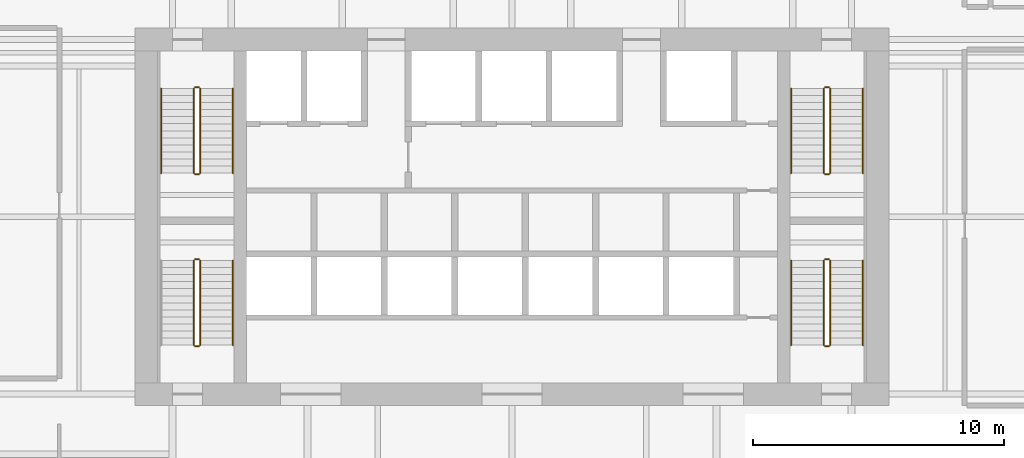
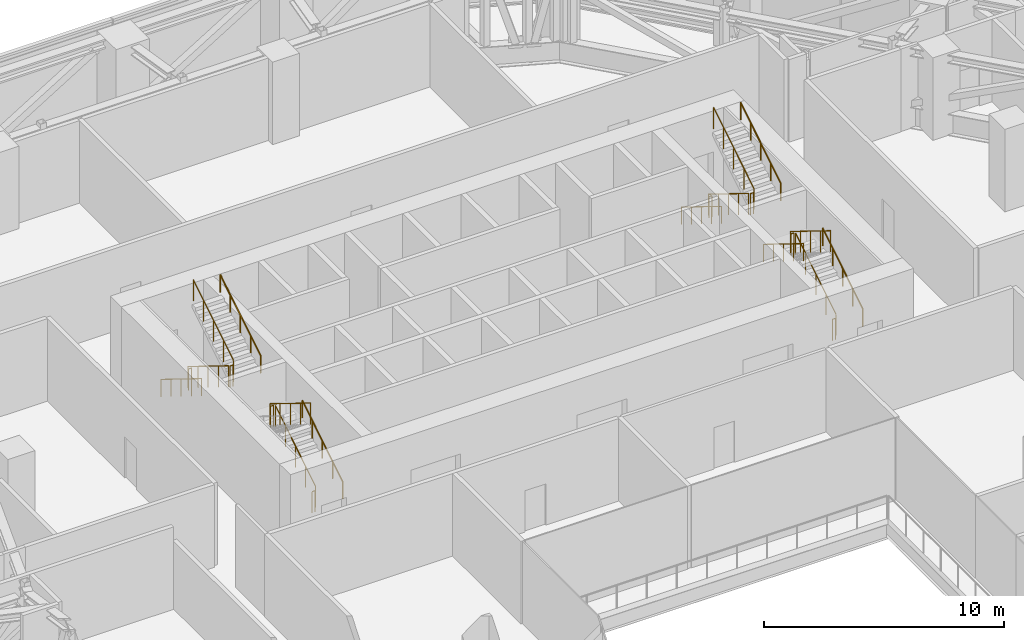
# One storey, part 36 of 36: 23 railings.
"""IFC4 building model written with IfcOpenShell, lengths in metres."""

import ifcopenshell
import ifcopenshell.guid

model = None  # the IFC model being written
_history = None  # IfcOwnerHistory: only IFC2X3 demands one
_inside = {}  # id of a spatial element -> (the spatial element, [elements in it])
_under = {}  # id of a project, library or spatial element -> (it, [spatial elements below it])
_declared = {}  # id of a project -> (the project, [libraries it declares])
_typed = {}  # id of a type object -> (the type object, [elements of that type])
_made_of = {}  # id of a material, layer set ... -> (it, [elements and type objects made of it])


def new_model(schema):
    """Start an empty IFC model of exactly this schema.

    Asked for "IFC4X3", IfcOpenShell would pick the latest addendum, in which some entities
    have other attributes; the version numbers below select the first issue.
    IFC2X3 requires an IfcOwnerHistory on every rooted entity: one is made here for all.
    """
    global model, _history
    if schema == "IFC4X3":
        model = ifcopenshell.file(schema_version=(4, 3, 0, 0))
    else:
        model = ifcopenshell.file(schema=schema)
    _inside.clear()
    _under.clear()
    _declared.clear()
    _typed.clear()
    _made_of.clear()
    _history = None
    if model.schema == "IFC2X3":
        org = make("IfcOrganization", Name="unknown")
        user = make(
            "IfcPersonAndOrganization",
            ThePerson=make("IfcPerson", FamilyName="unknown"),
            TheOrganization=org,
        )
        app = make(
            "IfcApplication",
            ApplicationDeveloper=org,
            Version="unknown",
            ApplicationFullName="unknown",
            ApplicationIdentifier="unknown",
        )
        _history = make(
            "IfcOwnerHistory",
            OwningUser=user,
            OwningApplication=app,
            ChangeAction="ADDED",
            CreationDate=0,
        )
    return model


def make(cls, **values):
    """One entity of the class cls with the attributes given. An attribute that is None is left unset."""
    return model.create_entity(
        cls, **{name: value for name, value in values.items() if value is not None}
    )


def rooted(cls, **values):
    """An entity with a GlobalId (a new one), such as an element, a storey or a relation."""
    return make(cls, GlobalId=ifcopenshell.guid.new(), OwnerHistory=_history, **values)


def si_unit(unit_type, name, prefix=None):
    """IfcSIUnit, for example si_unit("LENGTHUNIT", "METRE", prefix="MILLI")."""
    return make("IfcSIUnit", UnitType=unit_type, Prefix=prefix, Name=name)


def assignment(units):
    """IfcUnitAssignment: the units of a project."""
    return None if units is None else make("IfcUnitAssignment", Units=units)


def point(xyz):
    """IfcCartesianPoint."""
    return None if xyz is None else make("IfcCartesianPoint", Coordinates=xyz)


def direction(xyz):
    """IfcDirection."""
    return None if xyz is None else make("IfcDirection", DirectionRatios=xyz)


def frame(location, z_axis=None, x_axis=None):
    """IfcAxis2Placement3D, a coordinate frame: its origin and axes. An axis left out is left unset."""
    return make(
        "IfcAxis2Placement3D",
        Location=point(location),
        Axis=direction(z_axis),
        RefDirection=direction(x_axis),
    )


def frame_2d(location, x_axis=None):
    """IfcAxis2Placement2D, a coordinate frame in the plane: its origin and x axis."""
    return make(
        "IfcAxis2Placement2D", Location=point(location), RefDirection=direction(x_axis)
    )


def origin():
    """The frame at (0, 0, 0) with its axes left unset."""
    return frame((0.0, 0.0, 0.0))


def origin_2d():
    """The frame at (0, 0) in the plane with its x axis left unset."""
    return frame_2d((0.0, 0.0))


def place(relative_to, where):
    """IfcLocalPlacement: puts the frame where relative to a parent placement (None: the world)."""
    return make(
        "IfcLocalPlacement", PlacementRelTo=relative_to, RelativePlacement=where
    )


def context(
    kind, dimensions, precision=None, world=None, true_north=None, identifier=None
):
    """IfcGeometricRepresentationContext, for example the 3D "Model" context."""
    return make(
        "IfcGeometricRepresentationContext",
        ContextIdentifier=identifier,
        ContextType=kind,
        CoordinateSpaceDimension=dimensions,
        Precision=precision,
        WorldCoordinateSystem=world,
        TrueNorth=true_north,
    )


def subcontext(parent, identifier, kind, view, scale=None):
    """IfcGeometricRepresentationSubContext, for example "Body" below "Model"."""
    return make(
        "IfcGeometricRepresentationSubContext",
        ContextIdentifier=identifier,
        ContextType=kind,
        ParentContext=parent,
        TargetScale=scale,
        TargetView=view,
    )


def project(units=None, contexts=None):
    """IfcProject with its units and contexts."""
    return rooted(
        "IfcProject",
        Name="project",
        RepresentationContexts=contexts,
        UnitsInContext=assignment(units),
    )


def spatial(cls, under=None, at=None, **own):
    """A site, building, storey or space (cls), placed at a placement, below another one or the project."""
    s = rooted(cls, ObjectPlacement=at, **own)
    if under is not None:
        _under.setdefault(under.id(), (under, []))[1].append(s)
    return s


def profile(cls, at=None, kind="AREA", **sizes):
    """A parametric profile (cls). Its sizes go by their IFC names, for example OverallWidth=200.0."""
    return make(cls, ProfileType=kind, Position=at, **sizes)


def circle(**sizes):
    """IfcCircleProfileDef."""
    return profile("IfcCircleProfileDef", **sizes)


def extrude(swept, where, along, depth):
    """IfcExtrudedAreaSolid: the profile swept, set in the frame where, extruded along a direction by depth."""
    return make(
        "IfcExtrudedAreaSolid",
        SweptArea=swept,
        Position=where,
        ExtrudedDirection=direction(along),
        Depth=depth,
    )


def shape(context_of_items, identifier, shape_type, items):
    """IfcShapeRepresentation: the items that make up one representation, for example the "Body"."""
    return make(
        "IfcShapeRepresentation",
        ContextOfItems=context_of_items,
        RepresentationIdentifier=identifier,
        RepresentationType=shape_type,
        Items=items,
    )


def material(Name=None, Category=None):
    """IfcMaterial."""
    return make("IfcMaterial", Name=Name, Category=Category)


def made_of(thing, what):
    """Note that an element or type object is made of a material, layer set ...; save() writes the relation."""
    if what is not None:
        _made_of.setdefault(what.id(), (what, []))[1].append(thing)
    return thing


def type_object(cls, material=None, **own):
    """A type object (cls), such as IfcWallType, which elements share."""
    return made_of(rooted(cls, **own), material)


def element(
    cls,
    number,
    at=None,
    inside=None,
    cuts=None,
    type_object=None,
    material=None,
    context=None,
    identifier="Body",
    shape_type=None,
    held_by="IfcProductDefinitionShape",
    body=None,
    shapes=None,
    **own,
):
    """One element of the class cls, such as IfcWall. Its Tag is "e" and its number.

    at: its placement. inside: the storey or other place that contains it. cuts: it is an
    opening in that element (IfcRelVoidsElement). A single representation is given by context,
    identifier, shape_type and body (its items); several are given by shapes. held_by: the class
    of the entity that holds the representations. save() writes the other relations.
    """
    e = rooted(cls, Tag="e%d" % number, ObjectPlacement=at, **own)
    if body is not None:
        shapes = [shape(context, identifier, shape_type, body)]
    if shapes is not None:
        e.Representation = make(held_by, Representations=shapes)
    if inside is not None:
        _inside.setdefault(inside.id(), (inside, []))[1].append(e)
    if cuts is not None:
        rooted(
            "IfcRelVoidsElement", RelatingBuildingElement=cuts, RelatedOpeningElement=e
        )
    if type_object is not None:
        _typed.setdefault(type_object.id(), (type_object, []))[1].append(e)
    return made_of(e, material)


def aggregate(whole, parts):
    """IfcRelAggregates: a whole, such as a stair, and the parts it consists of."""
    return rooted("IfcRelAggregates", RelatingObject=whole, RelatedObjects=parts)


def save(model, path):
    """Write the relations noted so far, then the file.

    IfcRelAggregates (storeys below a building ...), IfcRelContainedInSpatialStructure (elements
    in a storey), IfcRelDefinesByType, IfcRelAssociatesMaterial and IfcRelDeclares: one each for
    every whole, place, type object, material and project.
    """
    for whole, parts in _under.values():
        aggregate(whole, parts)
    for where, things in _inside.values():
        rooted(
            "IfcRelContainedInSpatialStructure",
            RelatedElements=things,
            RelatingStructure=where,
        )
    for kind, things in _typed.values():
        rooted("IfcRelDefinesByType", RelatedObjects=things, RelatingType=kind)
    for what, things in _made_of.values():
        rooted("IfcRelAssociatesMaterial", RelatedObjects=things, RelatingMaterial=what)
    for by, libraries in _declared.values():
        rooted("IfcRelDeclares", RelatingContext=by, RelatedDefinitions=libraries)
    model.write(path)


model = new_model("IFC4")

# Units and contexts
model_context = context("Model", 3, precision=1e-05, world=origin(), true_north=direction((0.0, 1.0)))
body_context = subcontext(model_context, "Body", "Model", "MODEL_VIEW")
ifc_project = project(units=[si_unit("LENGTHUNIT", "METRE"), si_unit("AREAUNIT", "SQUARE_METRE"), si_unit("VOLUMEUNIT", "CUBIC_METRE"), si_unit("PLANEANGLEUNIT", "RADIAN"), si_unit("MASSUNIT", "GRAM", prefix="KILO")], contexts=[model_context])

# Site, building, storey
site_placement = place(None, origin())
site = spatial("IfcSite", under=ifc_project, at=site_placement, CompositionType="ELEMENT")
building_placement = place(site_placement, origin())
building = spatial("IfcBuilding", under=site, at=building_placement, Name="Isthmus Gate Tower", CompositionType="ELEMENT")
storey_placement = place(building_placement, frame((0.0, 0.0, 117.14990234375)))
storey = spatial("IfcBuildingStorey", under=building, at=storey_placement, Name="L28", CompositionType="ELEMENT", Elevation=117.14990234375)

# Railings
ifc_material_1 = material(Name="Stainless steel balustrade", Category="steel")
railing_type_1 = type_object("IfcRailingType", Name="STAIR GUARD 1100", PredefinedType="GUARDRAIL", material=ifc_material_1)
railing_1_placement = place(storey_placement, frame((-12.64990234375, 12.60009765625, 0.173095703125)))
element("IfcRailing", 1, at=railing_1_placement, inside=storey, type_object=railing_type_1, Name="L28 ST1 stair guard 1", PredefinedType="GUARDRAIL", context=body_context, shape_type="SweptSolid", body=[
    extrude(circle(Radius=0.02392578125, at=origin_2d()), frame((0.0, 0.0, 1.076171875), z_axis=(0.0, -0.850623216509, 0.525775754039), x_axis=(1.0, 0.0, 0.0)), (0.0, 0.0, 1.0), 3.9501953125),
    extrude(circle(Radius=0.02099609375, at=origin_2d()), origin(), (0.0, 0.0, 1.0), 1.052001953125),
    extrude(circle(Radius=0.02099609375, at=origin_2d()), frame((0.0, -0.840087890625, 0.519287109375)), (0.0, 0.0, 1.0), 1.052001953125),
    extrude(circle(Radius=0.02099609375, at=origin_2d()), frame((0.0, -1.68017578125, 1.03857421875)), (0.0, 0.0, 1.0), 1.052001953125),
    extrude(circle(Radius=0.02099609375, at=origin_2d()), frame((0.0, -2.52001953125, 1.5576171875)), (0.0, 0.0, 1.0), 1.052001953125),
    extrude(circle(Radius=0.02099609375, at=origin_2d()), frame((0.0, -3.360107421875, 2.076904296875)), (0.0, 0.0, 1.0), 1.052001953125),
])
railing_2_placement = place(storey_placement, frame((-12.60009765625, 9.18994140625, 2.25)))
element("IfcRailing", 2, at=railing_2_placement, inside=storey, type_object=railing_type_1, Name="L28 ST1 stair guard 2", PredefinedType="GUARDRAIL", context=body_context, shape_type="SweptSolid", body=[
    extrude(circle(Radius=0.02392578125, at=origin_2d()), frame((0.0, 0.0, 1.076171875), z_axis=(1.0, 0.0, 0.0), x_axis=(0.0, 1.0, 0.0)), (0.0, 0.0, 1.0), 0.150146484375),
    extrude(circle(Radius=0.02099609375, at=origin_2d()), origin(), (0.0, 0.0, 1.0), 1.052001953125),
    extrude(circle(Radius=0.02099609375, at=origin_2d()), frame((0.150146484375, 0.0, 0.0)), (0.0, 0.0, 1.0), 1.052001953125),
])
railing_3_placement = place(storey_placement, frame((-12.39990234375, 9.239990234375, 2.423095703125)))
element("IfcRailing", 3, at=railing_3_placement, inside=storey, type_object=railing_type_1, Name="L28 ST1 stair guard 3", PredefinedType="GUARDRAIL", context=body_context, shape_type="SweptSolid", body=[
    extrude(circle(Radius=0.02392578125, at=origin_2d()), frame((0.0, 0.0, 1.076171875), z_axis=(0.0, 0.850623216509, 0.525775754039), x_axis=(-1.0, 0.0, 0.0)), (0.0, 0.0, 1.0), 3.9501953125),
    extrude(circle(Radius=0.02099609375, at=origin_2d()), origin(), (0.0, 0.0, 1.0), 1.052001953125),
    extrude(circle(Radius=0.02099609375, at=origin_2d()), frame((0.0, 0.840087890625, 0.519287109375)), (0.0, 0.0, 1.0), 1.052001953125),
    extrude(circle(Radius=0.02099609375, at=origin_2d()), frame((0.0, 1.68017578125, 1.03857421875)), (0.0, 0.0, 1.0), 1.052001953125),
    extrude(circle(Radius=0.02099609375, at=origin_2d()), frame((0.0, 2.52001953125, 1.5576171875)), (0.0, 0.0, 1.0), 1.052001953125),
    extrude(circle(Radius=0.02099609375, at=origin_2d()), frame((0.0, 3.360107421875, 2.076904296875)), (0.0, 0.0, 1.0), 1.052001953125),
])
railing_4_placement = place(storey_placement, frame((-12.60009765625, 12.64990234375, 0.0)))
element("IfcRailing", 4, at=railing_4_placement, inside=storey, type_object=railing_type_1, Name="L28 ST1 stair guard 4", PredefinedType="GUARDRAIL", context=body_context, shape_type="SweptSolid", body=[
    extrude(circle(Radius=0.02392578125, at=origin_2d()), frame((0.0, 0.0, 1.076171875), z_axis=(1.0, 0.0, 0.0), x_axis=(0.0, 1.0, 0.0)), (0.0, 0.0, 1.0), 0.150146484375),
    extrude(circle(Radius=0.02099609375, at=origin_2d()), origin(), (0.0, 0.0, 1.0), 1.052001953125),
    extrude(circle(Radius=0.02099609375, at=origin_2d()), frame((0.150146484375, 0.0, 0.0)), (0.0, 0.0, 1.0), 1.052001953125),
])
railing_5_placement = place(storey_placement, frame((12.39990234375, 12.60009765625, 0.173095703125)))
element("IfcRailing", 5, at=railing_5_placement, inside=storey, type_object=railing_type_1, Name="L28 ST2 stair guard 1", PredefinedType="GUARDRAIL", context=body_context, shape_type="SweptSolid", body=[
    extrude(circle(Radius=0.02392578125, at=origin_2d()), frame((0.0, 0.0, 1.076171875), z_axis=(0.0, -0.850623216509, 0.525775754039), x_axis=(1.0, 0.0, 0.0)), (0.0, 0.0, 1.0), 3.9501953125),
    extrude(circle(Radius=0.02099609375, at=origin_2d()), origin(), (0.0, 0.0, 1.0), 1.052001953125),
    extrude(circle(Radius=0.02099609375, at=origin_2d()), frame((0.0, -0.840087890625, 0.519287109375)), (0.0, 0.0, 1.0), 1.052001953125),
    extrude(circle(Radius=0.02099609375, at=origin_2d()), frame((0.0, -1.68017578125, 1.03857421875)), (0.0, 0.0, 1.0), 1.052001953125),
    extrude(circle(Radius=0.02099609375, at=origin_2d()), frame((0.0, -2.52001953125, 1.5576171875)), (0.0, 0.0, 1.0), 1.052001953125),
    extrude(circle(Radius=0.02099609375, at=origin_2d()), frame((0.0, -3.360107421875, 2.076904296875)), (0.0, 0.0, 1.0), 1.052001953125),
])
railing_6_placement = place(storey_placement, frame((12.449951171875, 9.18994140625, 2.25)))
element("IfcRailing", 6, at=railing_6_placement, inside=storey, type_object=railing_type_1, Name="L28 ST2 stair guard 2", PredefinedType="GUARDRAIL", context=body_context, shape_type="SweptSolid", body=[
    extrude(circle(Radius=0.02392578125, at=origin_2d()), frame((0.0, 0.0, 1.076171875), z_axis=(1.0, 0.0, 0.0), x_axis=(0.0, 1.0, 0.0)), (0.0, 0.0, 1.0), 0.150146484375),
    extrude(circle(Radius=0.02099609375, at=origin_2d()), origin(), (0.0, 0.0, 1.0), 1.052001953125),
    extrude(circle(Radius=0.02099609375, at=origin_2d()), frame((0.150146484375, 0.0, 0.0)), (0.0, 0.0, 1.0), 1.052001953125),
])
railing_7_placement = place(storey_placement, frame((12.64990234375, 9.239990234375, 2.423095703125)))
element("IfcRailing", 7, at=railing_7_placement, inside=storey, type_object=railing_type_1, Name="L28 ST2 stair guard 3", PredefinedType="GUARDRAIL", context=body_context, shape_type="SweptSolid", body=[
    extrude(circle(Radius=0.02392578125, at=origin_2d()), frame((0.0, 0.0, 1.076171875), z_axis=(0.0, 0.850623216509, 0.525775754039), x_axis=(-1.0, 0.0, 0.0)), (0.0, 0.0, 1.0), 3.9501953125),
    extrude(circle(Radius=0.02099609375, at=origin_2d()), origin(), (0.0, 0.0, 1.0), 1.052001953125),
    extrude(circle(Radius=0.02099609375, at=origin_2d()), frame((0.0, 0.840087890625, 0.519287109375)), (0.0, 0.0, 1.0), 1.052001953125),
    extrude(circle(Radius=0.02099609375, at=origin_2d()), frame((0.0, 1.68017578125, 1.03857421875)), (0.0, 0.0, 1.0), 1.052001953125),
    extrude(circle(Radius=0.02099609375, at=origin_2d()), frame((0.0, 2.52001953125, 1.5576171875)), (0.0, 0.0, 1.0), 1.052001953125),
    extrude(circle(Radius=0.02099609375, at=origin_2d()), frame((0.0, 3.360107421875, 2.076904296875)), (0.0, 0.0, 1.0), 1.052001953125),
])
railing_8_placement = place(storey_placement, frame((12.449951171875, 12.64990234375, 0.0)))
element("IfcRailing", 8, at=railing_8_placement, inside=storey, type_object=railing_type_1, Name="L28 ST2 stair guard 4", PredefinedType="GUARDRAIL", context=body_context, shape_type="SweptSolid", body=[
    extrude(circle(Radius=0.02392578125, at=origin_2d()), frame((0.0, 0.0, 1.076171875), z_axis=(1.0, 0.0, 0.0), x_axis=(0.0, 1.0, 0.0)), (0.0, 0.0, 1.0), 0.150146484375),
    extrude(circle(Radius=0.02099609375, at=origin_2d()), origin(), (0.0, 0.0, 1.0), 1.052001953125),
    extrude(circle(Radius=0.02099609375, at=origin_2d()), frame((0.150146484375, 0.0, 0.0)), (0.0, 0.0, 1.0), 1.052001953125),
])
railing_9_placement = place(storey_placement, frame((-12.39990234375, 2.39990234375, 0.173095703125)))
element("IfcRailing", 9, at=railing_9_placement, inside=storey, type_object=railing_type_1, Name="L28 ST7 stair guard 1", PredefinedType="GUARDRAIL", context=body_context, shape_type="SweptSolid", body=[
    extrude(circle(Radius=0.02392578125, at=origin_2d()), frame((0.0, 0.0, 1.076171875), z_axis=(0.0, 0.850623216509, 0.525775754039), x_axis=(-1.0, 0.0, 0.0)), (0.0, 0.0, 1.0), 3.9501953125),
    extrude(circle(Radius=0.02099609375, at=origin_2d()), origin(), (0.0, 0.0, 1.0), 1.052001953125),
    extrude(circle(Radius=0.02099609375, at=origin_2d()), frame((0.0, 0.840087890625, 0.519287109375)), (0.0, 0.0, 1.0), 1.052001953125),
    extrude(circle(Radius=0.02099609375, at=origin_2d()), frame((0.0, 1.68017578125, 1.03857421875)), (0.0, 0.0, 1.0), 1.052001953125),
    extrude(circle(Radius=0.02099609375, at=origin_2d()), frame((0.0, 2.52001953125, 1.5576171875)), (0.0, 0.0, 1.0), 1.052001953125),
    extrude(circle(Radius=0.02099609375, at=origin_2d()), frame((0.0, 3.360107421875, 2.076904296875)), (0.0, 0.0, 1.0), 1.052001953125),
])
railing_10_placement = place(storey_placement, frame((-12.449951171875, 5.81005859375, 2.25)))
element("IfcRailing", 10, at=railing_10_placement, inside=storey, type_object=railing_type_1, Name="L28 ST7 stair guard 2", PredefinedType="GUARDRAIL", context=body_context, shape_type="SweptSolid", body=[
    extrude(circle(Radius=0.02392578125, at=origin_2d()), frame((0.0, 0.0, 1.076171875), z_axis=(-1.0, 0.0, 0.0), x_axis=(0.0, -1.0, 0.0)), (0.0, 0.0, 1.0), 0.150146484375),
    extrude(circle(Radius=0.02099609375, at=origin_2d()), origin(), (0.0, 0.0, 1.0), 1.052001953125),
    extrude(circle(Radius=0.02099609375, at=origin_2d()), frame((-0.150146484375, 0.0, 0.0)), (0.0, 0.0, 1.0), 1.052001953125),
])
railing_11_placement = place(storey_placement, frame((-12.64990234375, 5.760009765625, 2.423095703125)))
element("IfcRailing", 11, at=railing_11_placement, inside=storey, type_object=railing_type_1, Name="L28 ST7 stair guard 3", PredefinedType="GUARDRAIL", context=body_context, shape_type="SweptSolid", body=[
    extrude(circle(Radius=0.02392578125, at=origin_2d()), frame((0.0, 0.0, 1.076171875), z_axis=(0.0, -0.850623216509, 0.525775754039), x_axis=(1.0, 0.0, 0.0)), (0.0, 0.0, 1.0), 3.9501953125),
    extrude(circle(Radius=0.02099609375, at=origin_2d()), origin(), (0.0, 0.0, 1.0), 1.052001953125),
    extrude(circle(Radius=0.02099609375, at=origin_2d()), frame((0.0, -0.840087890625, 0.519287109375)), (0.0, 0.0, 1.0), 1.052001953125),
    extrude(circle(Radius=0.02099609375, at=origin_2d()), frame((0.0, -1.68017578125, 1.03857421875)), (0.0, 0.0, 1.0), 1.052001953125),
    extrude(circle(Radius=0.02099609375, at=origin_2d()), frame((0.0, -2.52001953125, 1.5576171875)), (0.0, 0.0, 1.0), 1.052001953125),
    extrude(circle(Radius=0.02099609375, at=origin_2d()), frame((0.0, -3.360107421875, 2.076904296875)), (0.0, 0.0, 1.0), 1.052001953125),
])
railing_12_placement = place(storey_placement, frame((-12.449951171875, 2.35009765625, 0.0)))
element("IfcRailing", 12, at=railing_12_placement, inside=storey, type_object=railing_type_1, Name="L28 ST7 stair guard 4", PredefinedType="GUARDRAIL", context=body_context, shape_type="SweptSolid", body=[
    extrude(circle(Radius=0.02392578125, at=origin_2d()), frame((0.0, 0.0, 1.076171875), z_axis=(-1.0, 0.0, 0.0), x_axis=(0.0, -1.0, 0.0)), (0.0, 0.0, 1.0), 0.150146484375),
    extrude(circle(Radius=0.02099609375, at=origin_2d()), origin(), (0.0, 0.0, 1.0), 1.052001953125),
    extrude(circle(Radius=0.02099609375, at=origin_2d()), frame((-0.150146484375, 0.0, 0.0)), (0.0, 0.0, 1.0), 1.052001953125),
])
railing_13_placement = place(storey_placement, frame((12.64990234375, 2.39990234375, 0.173095703125)))
element("IfcRailing", 13, at=railing_13_placement, inside=storey, type_object=railing_type_1, Name="L28 ST8 stair guard 1", PredefinedType="GUARDRAIL", context=body_context, shape_type="SweptSolid", body=[
    extrude(circle(Radius=0.02392578125, at=origin_2d()), frame((0.0, 0.0, 1.076171875), z_axis=(0.0, 0.850623216509, 0.525775754039), x_axis=(-1.0, 0.0, 0.0)), (0.0, 0.0, 1.0), 3.9501953125),
    extrude(circle(Radius=0.02099609375, at=origin_2d()), origin(), (0.0, 0.0, 1.0), 1.052001953125),
    extrude(circle(Radius=0.02099609375, at=origin_2d()), frame((0.0, 0.840087890625, 0.519287109375)), (0.0, 0.0, 1.0), 1.052001953125),
    extrude(circle(Radius=0.02099609375, at=origin_2d()), frame((0.0, 1.68017578125, 1.03857421875)), (0.0, 0.0, 1.0), 1.052001953125),
    extrude(circle(Radius=0.02099609375, at=origin_2d()), frame((0.0, 2.52001953125, 1.5576171875)), (0.0, 0.0, 1.0), 1.052001953125),
    extrude(circle(Radius=0.02099609375, at=origin_2d()), frame((0.0, 3.360107421875, 2.076904296875)), (0.0, 0.0, 1.0), 1.052001953125),
])
railing_14_placement = place(storey_placement, frame((12.60009765625, 5.81005859375, 2.25)))
element("IfcRailing", 14, at=railing_14_placement, inside=storey, type_object=railing_type_1, Name="L28 ST8 stair guard 2", PredefinedType="GUARDRAIL", context=body_context, shape_type="SweptSolid", body=[
    extrude(circle(Radius=0.02392578125, at=origin_2d()), frame((0.0, 0.0, 1.076171875), z_axis=(-1.0, 0.0, 0.0), x_axis=(0.0, -1.0, 0.0)), (0.0, 0.0, 1.0), 0.150146484375),
    extrude(circle(Radius=0.02099609375, at=origin_2d()), origin(), (0.0, 0.0, 1.0), 1.052001953125),
    extrude(circle(Radius=0.02099609375, at=origin_2d()), frame((-0.150146484375, 0.0, 0.0)), (0.0, 0.0, 1.0), 1.052001953125),
])
railing_15_placement = place(storey_placement, frame((12.39990234375, 5.760009765625, 2.423095703125)))
element("IfcRailing", 15, at=railing_15_placement, inside=storey, type_object=railing_type_1, Name="L28 ST8 stair guard 3", PredefinedType="GUARDRAIL", context=body_context, shape_type="SweptSolid", body=[
    extrude(circle(Radius=0.02392578125, at=origin_2d()), frame((0.0, 0.0, 1.076171875), z_axis=(0.0, -0.850623216509, 0.525775754039), x_axis=(1.0, 0.0, 0.0)), (0.0, 0.0, 1.0), 3.9501953125),
    extrude(circle(Radius=0.02099609375, at=origin_2d()), origin(), (0.0, 0.0, 1.0), 1.052001953125),
    extrude(circle(Radius=0.02099609375, at=origin_2d()), frame((0.0, -0.840087890625, 0.519287109375)), (0.0, 0.0, 1.0), 1.052001953125),
    extrude(circle(Radius=0.02099609375, at=origin_2d()), frame((0.0, -1.68017578125, 1.03857421875)), (0.0, 0.0, 1.0), 1.052001953125),
    extrude(circle(Radius=0.02099609375, at=origin_2d()), frame((0.0, -2.52001953125, 1.5576171875)), (0.0, 0.0, 1.0), 1.052001953125),
    extrude(circle(Radius=0.02099609375, at=origin_2d()), frame((0.0, -3.360107421875, 2.076904296875)), (0.0, 0.0, 1.0), 1.052001953125),
])
railing_16_placement = place(storey_placement, frame((12.60009765625, 2.35009765625, 0.0)))
element("IfcRailing", 16, at=railing_16_placement, inside=storey, type_object=railing_type_1, Name="L28 ST8 stair guard 4", PredefinedType="GUARDRAIL", context=body_context, shape_type="SweptSolid", body=[
    extrude(circle(Radius=0.02392578125, at=origin_2d()), frame((0.0, 0.0, 1.076171875), z_axis=(-1.0, 0.0, 0.0), x_axis=(0.0, -1.0, 0.0)), (0.0, 0.0, 1.0), 0.150146484375),
    extrude(circle(Radius=0.02099609375, at=origin_2d()), origin(), (0.0, 0.0, 1.0), 1.052001953125),
    extrude(circle(Radius=0.02099609375, at=origin_2d()), frame((-0.150146484375, 0.0, 0.0)), (0.0, 0.0, 1.0), 1.052001953125),
])
ifc_material_2 = material(Name="Stainless steel handrail", Category="steel")
railing_type_2 = type_object("IfcRailingType", Name="STAIR HANDRAIL 900", PredefinedType="HANDRAIL", material=ifc_material_2)
railing_17_placement = place(storey_placement, frame((-13.949951171875, 12.60009765625, 0.173095703125)))
element("IfcRailing", 17, at=railing_17_placement, inside=storey, type_object=railing_type_2, Name="L28 ST1 stair handrail 1", PredefinedType="HANDRAIL", context=body_context, shape_type="SweptSolid", body=[
    extrude(circle(Radius=0.02392578125, at=origin_2d()), frame((0.0, 0.0, 0.8759765625), z_axis=(0.0, -0.850623216509, 0.525775754039), x_axis=(1.0, 0.0, 0.0)), (0.0, 0.0, 1.0), 3.9501953125),
    extrude(circle(Radius=0.02099609375, at=origin_2d()), origin(), (0.0, 0.0, 1.0), 0.851806640625),
    extrude(circle(Radius=0.02099609375, at=origin_2d()), frame((0.0, -0.840087890625, 0.519287109375)), (0.0, 0.0, 1.0), 0.851806640625),
    extrude(circle(Radius=0.02099609375, at=origin_2d()), frame((0.0, -1.68017578125, 1.03857421875)), (0.0, 0.0, 1.0), 0.851806640625),
    extrude(circle(Radius=0.02099609375, at=origin_2d()), frame((0.0, -2.52001953125, 1.5576171875)), (0.0, 0.0, 1.0), 0.851806640625),
    extrude(circle(Radius=0.02099609375, at=origin_2d()), frame((0.0, -3.360107421875, 2.076904296875)), (0.0, 0.0, 1.0), 0.851806640625),
])
railing_18_placement = place(storey_placement, frame((-11.10009765625, 9.239990234375, 2.423095703125)))
element("IfcRailing", 18, at=railing_18_placement, inside=storey, type_object=railing_type_2, Name="L28 ST1 stair handrail 2", PredefinedType="HANDRAIL", context=body_context, shape_type="SweptSolid", body=[
    extrude(circle(Radius=0.02392578125, at=origin_2d()), frame((0.0, 0.0, 0.8759765625), z_axis=(0.0, 0.850623216509, 0.525775754039), x_axis=(-1.0, 0.0, 0.0)), (0.0, 0.0, 1.0), 3.9501953125),
    extrude(circle(Radius=0.02099609375, at=origin_2d()), origin(), (0.0, 0.0, 1.0), 0.851806640625),
    extrude(circle(Radius=0.02099609375, at=origin_2d()), frame((0.0, 0.840087890625, 0.519287109375)), (0.0, 0.0, 1.0), 0.851806640625),
    extrude(circle(Radius=0.02099609375, at=origin_2d()), frame((0.0, 1.68017578125, 1.03857421875)), (0.0, 0.0, 1.0), 0.851806640625),
    extrude(circle(Radius=0.02099609375, at=origin_2d()), frame((0.0, 2.52001953125, 1.5576171875)), (0.0, 0.0, 1.0), 0.851806640625),
    extrude(circle(Radius=0.02099609375, at=origin_2d()), frame((0.0, 3.360107421875, 2.076904296875)), (0.0, 0.0, 1.0), 0.851806640625),
])
railing_19_placement = place(storey_placement, frame((11.10009765625, 12.60009765625, 0.173095703125)))
element("IfcRailing", 19, at=railing_19_placement, inside=storey, type_object=railing_type_2, Name="L28 ST2 stair handrail 1", PredefinedType="HANDRAIL", context=body_context, shape_type="SweptSolid", body=[
    extrude(circle(Radius=0.02392578125, at=origin_2d()), frame((0.0, 0.0, 0.8759765625), z_axis=(0.0, -0.850623216509, 0.525775754039), x_axis=(1.0, 0.0, 0.0)), (0.0, 0.0, 1.0), 3.9501953125),
    extrude(circle(Radius=0.02099609375, at=origin_2d()), origin(), (0.0, 0.0, 1.0), 0.851806640625),
    extrude(circle(Radius=0.02099609375, at=origin_2d()), frame((0.0, -0.840087890625, 0.519287109375)), (0.0, 0.0, 1.0), 0.851806640625),
    extrude(circle(Radius=0.02099609375, at=origin_2d()), frame((0.0, -1.68017578125, 1.03857421875)), (0.0, 0.0, 1.0), 0.851806640625),
    extrude(circle(Radius=0.02099609375, at=origin_2d()), frame((0.0, -2.52001953125, 1.5576171875)), (0.0, 0.0, 1.0), 0.851806640625),
    extrude(circle(Radius=0.02099609375, at=origin_2d()), frame((0.0, -3.360107421875, 2.076904296875)), (0.0, 0.0, 1.0), 0.851806640625),
])
for number, where, name in (
    (20, (13.949951171875, 9.239990234375, 2.423095703125), "L28 ST2 stair handrail 2"),
    (21, (-11.10009765625, 2.39990234375, 0.173095703125), "L28 ST7 stair handrail 1"),
    (22, (13.949951171875, 2.39990234375, 0.173095703125), "L28 ST8 stair handrail 1"),
):
    element("IfcRailing", number, at=place(storey_placement, frame(where)), inside=storey, type_object=railing_type_2, Name=name, PredefinedType="HANDRAIL", context=body_context, shape_type="SweptSolid", body=[
        extrude(circle(Radius=0.02392578125, at=origin_2d()), frame((0.0, 0.0, 0.8759765625), z_axis=(0.0, 0.850623216509, 0.525775754039), x_axis=(-1.0, 0.0, 0.0)), (0.0, 0.0, 1.0), 3.9501953125),
        extrude(circle(Radius=0.02099609375, at=origin_2d()), origin(), (0.0, 0.0, 1.0), 0.851806640625),
        extrude(circle(Radius=0.02099609375, at=origin_2d()), frame((0.0, 0.840087890625, 0.519287109375)), (0.0, 0.0, 1.0), 0.851806640625),
        extrude(circle(Radius=0.02099609375, at=origin_2d()), frame((0.0, 1.68017578125, 1.03857421875)), (0.0, 0.0, 1.0), 0.851806640625),
        extrude(circle(Radius=0.02099609375, at=origin_2d()), frame((0.0, 2.52001953125, 1.5576171875)), (0.0, 0.0, 1.0), 0.851806640625),
        extrude(circle(Radius=0.02099609375, at=origin_2d()), frame((0.0, 3.360107421875, 2.076904296875)), (0.0, 0.0, 1.0), 0.851806640625),
    ])
railing_20_placement = place(storey_placement, frame((11.10009765625, 5.760009765625, 2.423095703125)))
element("IfcRailing", 23, at=railing_20_placement, inside=storey, type_object=railing_type_2, Name="L28 ST8 stair handrail 2", PredefinedType="HANDRAIL", context=body_context, shape_type="SweptSolid", body=[
    extrude(circle(Radius=0.02392578125, at=origin_2d()), frame((0.0, 0.0, 0.8759765625), z_axis=(0.0, -0.850623216509, 0.525775754039), x_axis=(1.0, 0.0, 0.0)), (0.0, 0.0, 1.0), 3.9501953125),
    extrude(circle(Radius=0.02099609375, at=origin_2d()), origin(), (0.0, 0.0, 1.0), 0.851806640625),
    extrude(circle(Radius=0.02099609375, at=origin_2d()), frame((0.0, -0.840087890625, 0.519287109375)), (0.0, 0.0, 1.0), 0.851806640625),
    extrude(circle(Radius=0.02099609375, at=origin_2d()), frame((0.0, -1.68017578125, 1.03857421875)), (0.0, 0.0, 1.0), 0.851806640625),
    extrude(circle(Radius=0.02099609375, at=origin_2d()), frame((0.0, -2.52001953125, 1.5576171875)), (0.0, 0.0, 1.0), 0.851806640625),
    extrude(circle(Radius=0.02099609375, at=origin_2d()), frame((0.0, -3.360107421875, 2.076904296875)), (0.0, 0.0, 1.0), 0.851806640625),
])

save(model, "model.ifc")
